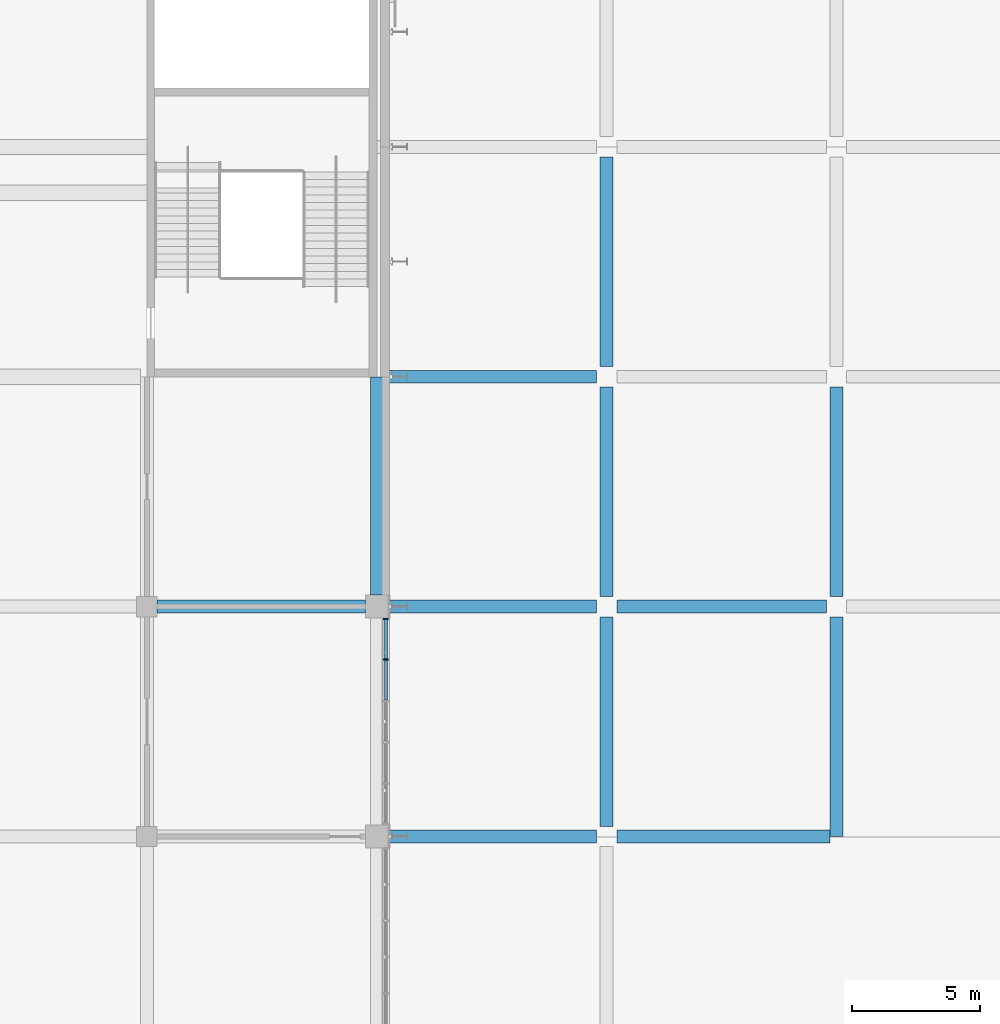
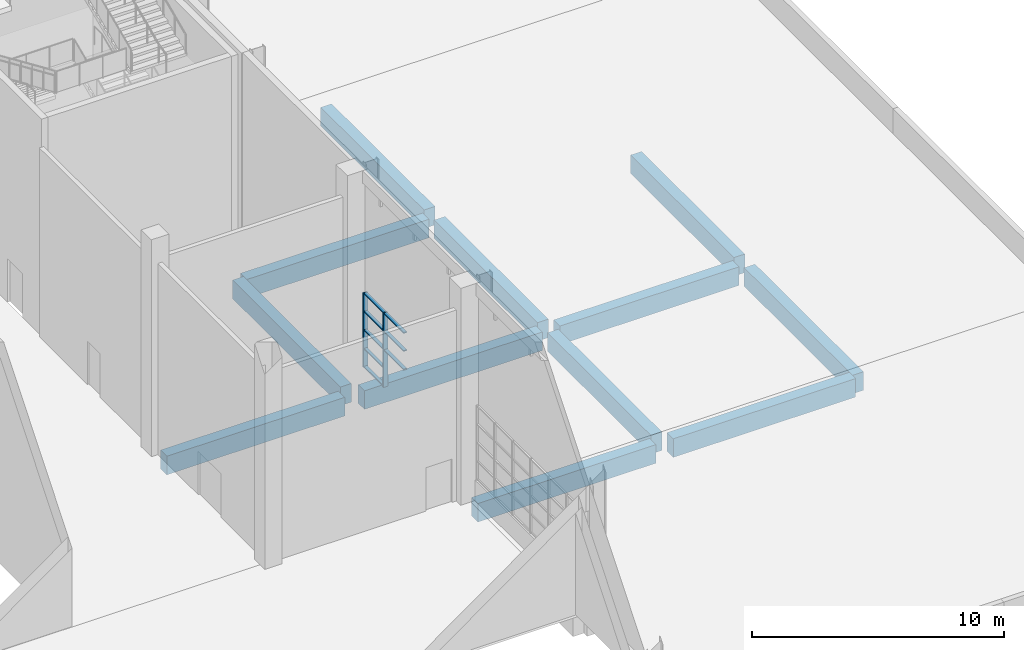
# One storey, part 45 of 182: 12 beams, 10 members, 1 element without a shape of its own.
"""IFC4 building model written with IfcOpenShell, lengths in metres."""

from ifc_helpers import new_model, si_unit, direction, frame, origin, origin_2d, place, context, subcontext, project, spatial, rectangle, extrude, material, material_profile, profile_set, type_object, element, aggregate, save


model = new_model("IFC4")

# Units and contexts
model_context = context("Model", 3, precision=1e-05, world=origin(), true_north=direction((0.0, 1.0)))
body_context = subcontext(model_context, "Body", "Model", "MODEL_VIEW")
ifc_project = project(units=[si_unit("LENGTHUNIT", "METRE"), si_unit("AREAUNIT", "SQUARE_METRE"), si_unit("VOLUMEUNIT", "CUBIC_METRE"), si_unit("PLANEANGLEUNIT", "RADIAN"), si_unit("MASSUNIT", "GRAM", prefix="KILO")], contexts=[model_context])

# Site, building, storey
site_placement = place(None, origin())
site = spatial("IfcSite", under=ifc_project, at=site_placement, CompositionType="ELEMENT")
building_placement = place(site_placement, origin())
building = spatial("IfcBuilding", under=site, at=building_placement, Name="Silverbay Arena", CompositionType="ELEMENT")
storey_placement = place(building_placement, frame((0.0, 0.0, 11.5)))
storey = spatial("IfcBuildingStorey", under=building, at=storey_placement, Name="L02", CompositionType="ELEMENT", Elevation=11.5)

# Curtain wall, members
ifc_material_1 = material(Name="Aluminium framed curtain wall", Category="aluminium")
curtain_wall_type = type_object("IfcCurtainWallType", Name="Curtain wall 8100 x 3600", PredefinedType="NOTDEFINED", material=ifc_material_1)
curtain_wall_placement = place(storey_placement, origin())
curtain_wall = element("IfcCurtainWall", 1, at=curtain_wall_placement, inside=storey, type_object=curtain_wall_type, Name="East curtain wall L02 bay 3", PredefinedType="NOTDEFINED")
ifc_material_2 = material(Name="Aluminium", Category="aluminium")
ifc_material_profile_1 = material_profile(ifc_material_2, rectangle(XDim=0.199951171875, YDim=0.06005859375, at=origin_2d()), Name="Mullion 60 x 200")
ifc_profile_set_1 = profile_set([ifc_material_profile_1], Name="Aluminium")
member_type_1 = type_object("IfcMemberType", Name="Mullion 60 x 200", PredefinedType="MULLION", material=ifc_profile_set_1)
member_1_placement = place(storey_placement, frame((207.35009765625, 42.929931640625, 1.0), z_axis=(0.0, 0.0, 1.0), x_axis=(-1.0, 0.0, 0.0)))
member_1 = element("IfcMember", 2, at=member_1_placement, type_object=member_type_1, Name="CW11 mullion 5", PredefinedType="MULLION", context=body_context, shape_type="SweptSolid", body=[
    extrude(rectangle(XDim=0.199951171875, YDim=0.06005859375, at=origin_2d()), origin(), (0.0, 0.0, 1.0), 3.60009765625),
])
member_2_placement = place(storey_placement, frame((207.35009765625, 44.52001953125, 1.0), z_axis=(0.0, 0.0, 1.0), x_axis=(-1.0, 0.0, 0.0)))
member_2 = element("IfcMember", 3, at=member_2_placement, type_object=member_type_1, Name="CW11 mullion 6", PredefinedType="MULLION", context=body_context, shape_type="SweptSolid", body=[
    extrude(rectangle(XDim=0.199951171875, YDim=0.06005859375, at=origin_2d()), origin(), (0.0, 0.0, 1.0), 3.60009765625),
])

# Beams
ifc_material_3 = material(Name="Concrete Grade C45", Category="concrete")
ifc_material_profile_2 = material_profile(ifc_material_3, rectangle(XDim=0.5, YDim=0.89990234375, at=origin_2d()), Name="RC 500x900")
ifc_profile_set_2 = profile_set([ifc_material_profile_2], Name="Concrete Grade C45")
beam_type = type_object("IfcBeamType", Name="RC beam 500x900", PredefinedType="BEAM", material=ifc_profile_set_2)
beam_1_placement = place(storey_placement, frame((207.449951171875, 36.0, -0.800048828125), z_axis=(1.0, 0.0, 0.0), x_axis=(0.0, 1.0, 0.0)))
element("IfcBeam", 4, at=beam_1_placement, inside=storey, type_object=beam_type, Name="Floor beam L02 025", PredefinedType="BEAM", context=body_context, shape_type="SweptSolid", body=[
    extrude(rectangle(XDim=0.5, YDim=0.89990234375, at=origin_2d()), origin(), (0.0, 0.0, 1.0), 8.150146484375),
])
beam_2_placement = place(storey_placement, frame((216.39990234375, 36.0, -0.800048828125), z_axis=(1.0, 0.0, 0.0), x_axis=(0.0, 1.0, 0.0)))
element("IfcBeam", 5, at=beam_2_placement, inside=storey, type_object=beam_type, Name="Floor beam L02 026", PredefinedType="BEAM", context=body_context, shape_type="SweptSolid", body=[
    extrude(rectangle(XDim=0.5, YDim=0.89990234375, at=origin_2d()), origin(), (0.0, 0.0, 1.0), 8.35009765625),
])
for number, where, z_axis, x_axis, name in (
    (6, (198.39990234375, 45.0, -0.800048828125), (1.0, 0.0, 0.0), (0.0, 1.0, 0.0), "Floor beam L02 042"),
    (7, (207.449951171875, 45.0, -0.800048828125), (1.0, 0.0, 0.0), (0.0, 1.0, 0.0), "Floor beam L02 043"),
):
    element("IfcBeam", number, at=place(storey_placement, frame(where, z_axis=z_axis, x_axis=x_axis)), inside=storey, type_object=beam_type, Name=name, PredefinedType="BEAM", context=body_context, shape_type="SweptSolid", body=[
        extrude(rectangle(XDim=0.5, YDim=0.89990234375, at=origin_2d()), origin(), (0.0, 0.0, 1.0), 8.150146484375),
    ])
beam_3_placement = place(storey_placement, frame((216.39990234375, 45.0, -0.800048828125), z_axis=(1.0, 0.0, 0.0), x_axis=(0.0, 1.0, 0.0)))
element("IfcBeam", 8, at=beam_3_placement, inside=storey, type_object=beam_type, Name="Floor beam L02 044", PredefinedType="BEAM", context=body_context, shape_type="SweptSolid", body=[
    extrude(rectangle(XDim=0.5, YDim=0.89990234375, at=origin_2d()), origin(), (0.0, 0.0, 1.0), 8.2001953125),
])
beam_4_placement = place(storey_placement, frame((207.25, 54.0, -0.800048828125), z_axis=(1.0, 0.0, 0.0), x_axis=(0.0, 1.0, 0.0)))
element("IfcBeam", 9, at=beam_4_placement, inside=storey, type_object=beam_type, Name="Floor beam L02 055", PredefinedType="BEAM", context=body_context, shape_type="SweptSolid", body=[
    extrude(rectangle(XDim=0.5, YDim=0.89990234375, at=origin_2d()), origin(), (0.0, 0.0, 1.0), 8.35009765625),
])
beam_5_placement = place(storey_placement, frame((207.0, 45.449951171875, -0.800048828125), z_axis=(0.0, 1.0, 0.0), x_axis=(-1.0, 0.0, 0.0)))
element("IfcBeam", 10, at=beam_5_placement, inside=storey, type_object=beam_type, Name="Floor beam L02 325", PredefinedType="BEAM", context=body_context, shape_type="SweptSolid", body=[
    extrude(rectangle(XDim=0.5, YDim=0.89990234375, at=origin_2d()), origin(), (0.0, 0.0, 1.0), 8.550048828125),
])
for number, where, z_axis, x_axis, name in (
    (11, (216.0, 36.39990234375, -0.800048828125), (0.0, 1.0, 0.0), (-1.0, 0.0, 0.0), "Floor beam L02 333"),
    (12, (216.0, 45.39990234375, -0.800048828125), (0.0, 1.0, 0.0), (-1.0, 0.0, 0.0), "Floor beam L02 334"),
    (13, (216.0, 54.39990234375, -0.800048828125), (0.0, 1.0, 0.0), (-1.0, 0.0, 0.0), "Floor beam L02 335"),
):
    element("IfcBeam", number, at=place(storey_placement, frame(where, z_axis=z_axis, x_axis=x_axis)), inside=storey, type_object=beam_type, Name=name, PredefinedType="BEAM", context=body_context, shape_type="SweptSolid", body=[
        extrude(rectangle(XDim=0.5, YDim=0.89990234375, at=origin_2d()), origin(), (0.0, 0.0, 1.0), 8.2001953125),
    ])
beam_6_placement = place(storey_placement, frame((225.0, 36.0, -0.800048828125), z_axis=(0.0, 1.0, 0.0), x_axis=(-1.0, 0.0, 0.0)))
element("IfcBeam", 14, at=beam_6_placement, inside=storey, type_object=beam_type, Name="Floor beam L02 345", PredefinedType="BEAM", context=body_context, shape_type="SweptSolid", body=[
    extrude(rectangle(XDim=0.5, YDim=0.89990234375, at=origin_2d()), origin(), (0.0, 0.0, 1.0), 8.60009765625),
])
beam_7_placement = place(storey_placement, frame((225.0, 45.39990234375, -0.800048828125), z_axis=(0.0, 1.0, 0.0), x_axis=(-1.0, 0.0, 0.0)))
element("IfcBeam", 15, at=beam_7_placement, inside=storey, type_object=beam_type, Name="Floor beam L02 346", PredefinedType="BEAM", context=body_context, shape_type="SweptSolid", body=[
    extrude(rectangle(XDim=0.5, YDim=0.89990234375, at=origin_2d()), origin(), (0.0, 0.0, 1.0), 8.2001953125),
])

# Member
ifc_material_4 = material(Name="Aluminium", Category="aluminium")
ifc_material_profile_3 = material_profile(ifc_material_4, rectangle(XDim=0.14990234375, YDim=0.050048828125, at=origin_2d()), Name="Transom 50 x 150")
ifc_profile_set_3 = profile_set([ifc_material_profile_3], Name="Aluminium")
member_type_2 = type_object("IfcMemberType", Name="Transom 50 x 150", PredefinedType="USERDEFINED", material=ifc_profile_set_3)
member_3_placement = place(storey_placement, frame((207.35009765625, 41.340087890625, 2.800048828125), z_axis=(0.0, 1.0, 0.0), x_axis=(-1.0, 0.0, 0.0)))
member_3 = element("IfcMember", 16, at=member_3_placement, type_object=member_type_2, Name="CW11 transom 4.3", ObjectType="TRANSOM", PredefinedType="USERDEFINED", context=body_context, shape_type="SweptSolid", body=[
    extrude(rectangle(XDim=0.14990234375, YDim=0.050048828125, at=origin_2d()), origin(), (0.0, 0.0, 1.0), 1.559814453125),
])

member_4_placement = place(storey_placement, frame((207.35009765625, 41.340087890625, 3.699951171875), z_axis=(0.0, 1.0, 0.0), x_axis=(-1.0, 0.0, 0.0)))
member_4 = element("IfcMember", 17, at=member_4_placement, type_object=member_type_2, Name="CW11 transom 4.4", ObjectType="TRANSOM", PredefinedType="USERDEFINED", context=body_context, shape_type="SweptSolid", body=[
    extrude(rectangle(XDim=0.14990234375, YDim=0.050048828125, at=origin_2d()), origin(), (0.0, 0.0, 1.0), 1.559814453125),
])

member_5_placement = place(storey_placement, frame((207.35009765625, 41.340087890625, 4.574951171875), z_axis=(0.0, 1.0, 0.0), x_axis=(-1.0, 0.0, 0.0)))
member_5 = element("IfcMember", 18, at=member_5_placement, type_object=member_type_2, Name="CW11 transom 4.5", ObjectType="TRANSOM", PredefinedType="USERDEFINED", context=body_context, shape_type="SweptSolid", body=[
    extrude(rectangle(XDim=0.14990234375, YDim=0.050048828125, at=origin_2d()), origin(), (0.0, 0.0, 1.0), 1.559814453125),
])

member_6_placement = place(storey_placement, frame((207.35009765625, 42.9599609375, 1.02490234375), z_axis=(0.0, 1.0, 0.0), x_axis=(-1.0, 0.0, 0.0)))
member_6 = element("IfcMember", 19, at=member_6_placement, type_object=member_type_2, Name="CW11 transom 5.1", ObjectType="TRANSOM", PredefinedType="USERDEFINED", context=body_context, shape_type="SweptSolid", body=[
    extrude(rectangle(XDim=0.14990234375, YDim=0.050048828125, at=origin_2d()), origin(), (0.0, 0.0, 1.0), 1.530029296875),
])

member_7_placement = place(storey_placement, frame((207.35009765625, 42.9599609375, 1.89990234375), z_axis=(0.0, 1.0, 0.0), x_axis=(-1.0, 0.0, 0.0)))
member_7 = element("IfcMember", 20, at=member_7_placement, type_object=member_type_2, Name="CW11 transom 5.2", ObjectType="TRANSOM", PredefinedType="USERDEFINED", context=body_context, shape_type="SweptSolid", body=[
    extrude(rectangle(XDim=0.14990234375, YDim=0.050048828125, at=origin_2d()), origin(), (0.0, 0.0, 1.0), 1.530029296875),
])

member_8_placement = place(storey_placement, frame((207.35009765625, 42.9599609375, 2.800048828125), z_axis=(0.0, 1.0, 0.0), x_axis=(-1.0, 0.0, 0.0)))
member_8 = element("IfcMember", 21, at=member_8_placement, type_object=member_type_2, Name="CW11 transom 5.3", ObjectType="TRANSOM", PredefinedType="USERDEFINED", context=body_context, shape_type="SweptSolid", body=[
    extrude(rectangle(XDim=0.14990234375, YDim=0.050048828125, at=origin_2d()), origin(), (0.0, 0.0, 1.0), 1.530029296875),
])

member_9_placement = place(storey_placement, frame((207.35009765625, 42.9599609375, 3.699951171875), z_axis=(0.0, 1.0, 0.0), x_axis=(-1.0, 0.0, 0.0)))
member_9 = element("IfcMember", 22, at=member_9_placement, type_object=member_type_2, Name="CW11 transom 5.4", ObjectType="TRANSOM", PredefinedType="USERDEFINED", context=body_context, shape_type="SweptSolid", body=[
    extrude(rectangle(XDim=0.14990234375, YDim=0.050048828125, at=origin_2d()), origin(), (0.0, 0.0, 1.0), 1.530029296875),
])

member_10_placement = place(storey_placement, frame((207.35009765625, 42.9599609375, 4.574951171875), z_axis=(0.0, 1.0, 0.0), x_axis=(-1.0, 0.0, 0.0)))
member_10 = element("IfcMember", 23, at=member_10_placement, type_object=member_type_2, Name="CW11 transom 5.5", ObjectType="TRANSOM", PredefinedType="USERDEFINED", context=body_context, shape_type="SweptSolid", body=[
    extrude(rectangle(XDim=0.14990234375, YDim=0.050048828125, at=origin_2d()), origin(), (0.0, 0.0, 1.0), 1.530029296875),
])

aggregate(curtain_wall, [member_1, member_2, member_3, member_4, member_5, member_6, member_7, member_8, member_9, member_10])

save(model, "model.ifc")
